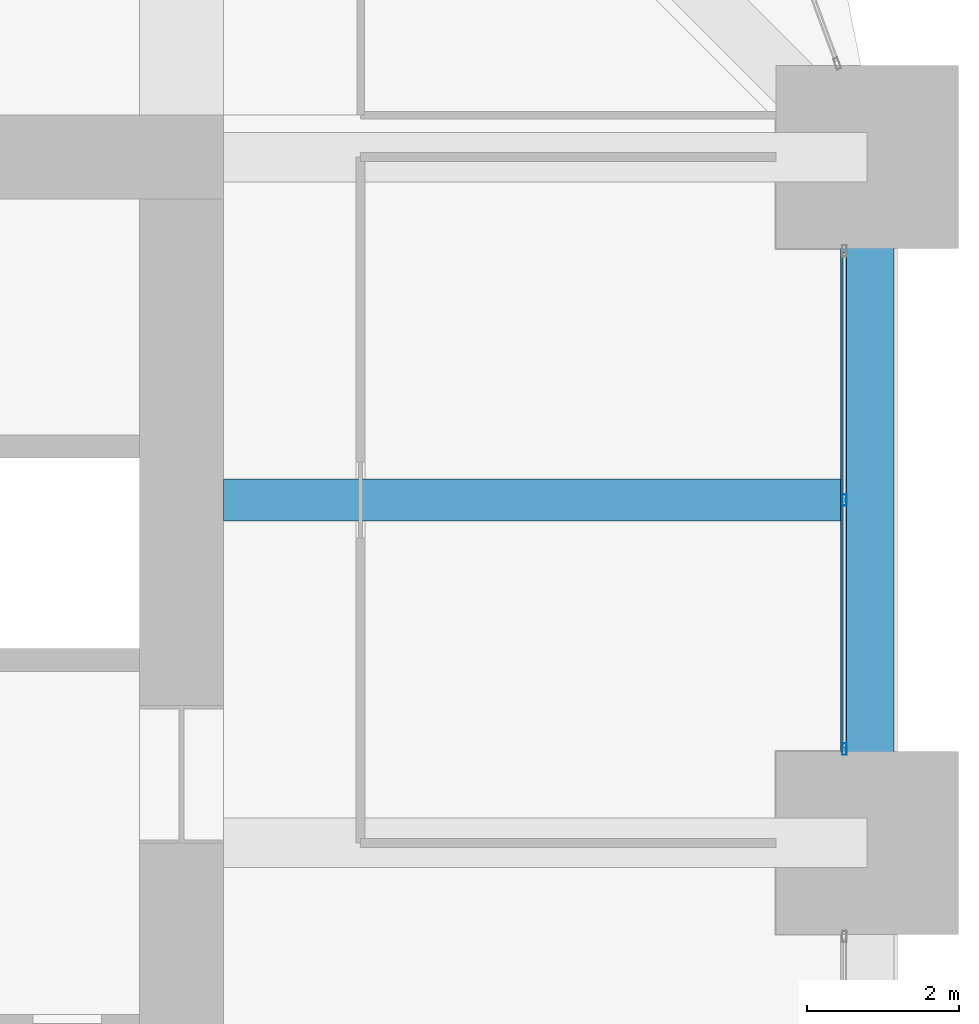
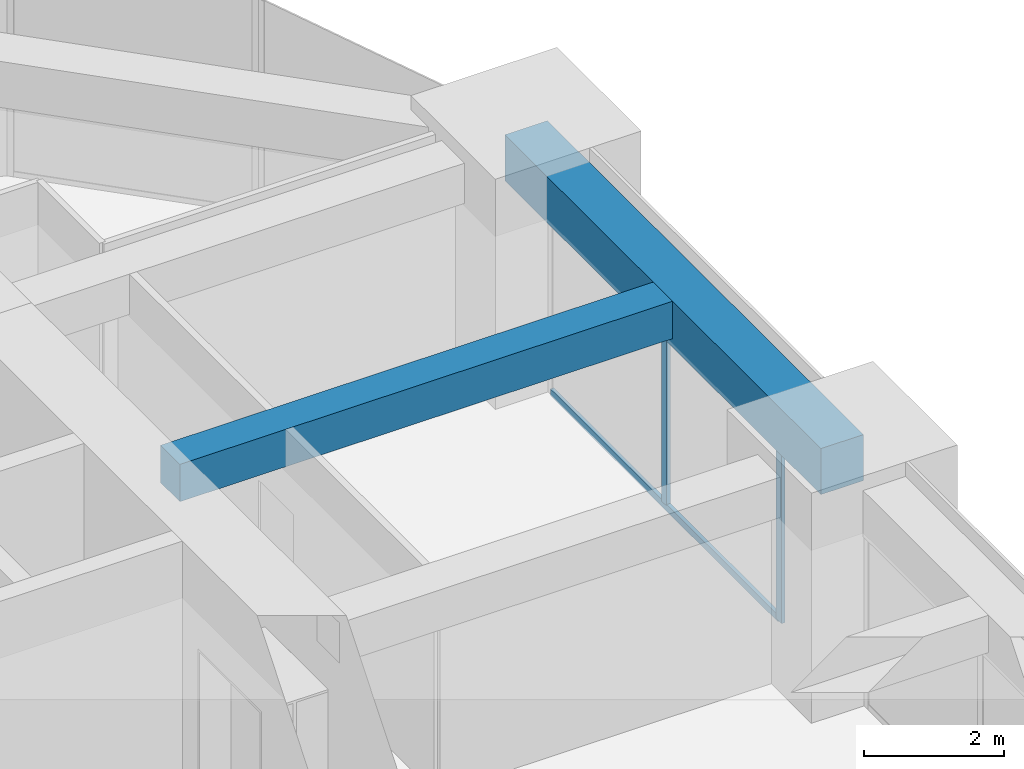
# One storey, part 19 of 33: 3 members, 2 beams, 1 element without a shape of its own.
"""IFC4 building model written with IfcOpenShell, lengths in metres."""

import ifcopenshell
import ifcopenshell.guid

model = None  # the IFC model being written
_history = None  # IfcOwnerHistory: only IFC2X3 demands one
_inside = {}  # id of a spatial element -> (the spatial element, [elements in it])
_under = {}  # id of a project, library or spatial element -> (it, [spatial elements below it])
_declared = {}  # id of a project -> (the project, [libraries it declares])
_typed = {}  # id of a type object -> (the type object, [elements of that type])
_made_of = {}  # id of a material, layer set ... -> (it, [elements and type objects made of it])


def new_model(schema):
    """Start an empty IFC model of exactly this schema.

    Asked for "IFC4X3", IfcOpenShell would pick the latest addendum, in which some entities
    have other attributes; the version numbers below select the first issue.
    IFC2X3 requires an IfcOwnerHistory on every rooted entity: one is made here for all.
    """
    global model, _history
    if schema == "IFC4X3":
        model = ifcopenshell.file(schema_version=(4, 3, 0, 0))
    else:
        model = ifcopenshell.file(schema=schema)
    _inside.clear()
    _under.clear()
    _declared.clear()
    _typed.clear()
    _made_of.clear()
    _history = None
    if model.schema == "IFC2X3":
        org = make("IfcOrganization", Name="unknown")
        user = make(
            "IfcPersonAndOrganization",
            ThePerson=make("IfcPerson", FamilyName="unknown"),
            TheOrganization=org,
        )
        app = make(
            "IfcApplication",
            ApplicationDeveloper=org,
            Version="unknown",
            ApplicationFullName="unknown",
            ApplicationIdentifier="unknown",
        )
        _history = make(
            "IfcOwnerHistory",
            OwningUser=user,
            OwningApplication=app,
            ChangeAction="ADDED",
            CreationDate=0,
        )
    return model


def make(cls, **values):
    """One entity of the class cls with the attributes given. An attribute that is None is left unset."""
    return model.create_entity(
        cls, **{name: value for name, value in values.items() if value is not None}
    )


def rooted(cls, **values):
    """An entity with a GlobalId (a new one), such as an element, a storey or a relation."""
    return make(cls, GlobalId=ifcopenshell.guid.new(), OwnerHistory=_history, **values)


def si_unit(unit_type, name, prefix=None):
    """IfcSIUnit, for example si_unit("LENGTHUNIT", "METRE", prefix="MILLI")."""
    return make("IfcSIUnit", UnitType=unit_type, Prefix=prefix, Name=name)


def assignment(units):
    """IfcUnitAssignment: the units of a project."""
    return None if units is None else make("IfcUnitAssignment", Units=units)


def point(xyz):
    """IfcCartesianPoint."""
    return None if xyz is None else make("IfcCartesianPoint", Coordinates=xyz)


def direction(xyz):
    """IfcDirection."""
    return None if xyz is None else make("IfcDirection", DirectionRatios=xyz)


def frame(location, z_axis=None, x_axis=None):
    """IfcAxis2Placement3D, a coordinate frame: its origin and axes. An axis left out is left unset."""
    return make(
        "IfcAxis2Placement3D",
        Location=point(location),
        Axis=direction(z_axis),
        RefDirection=direction(x_axis),
    )


def frame_2d(location, x_axis=None):
    """IfcAxis2Placement2D, a coordinate frame in the plane: its origin and x axis."""
    return make(
        "IfcAxis2Placement2D", Location=point(location), RefDirection=direction(x_axis)
    )


def origin():
    """The frame at (0, 0, 0) with its axes left unset."""
    return frame((0.0, 0.0, 0.0))


def origin_2d():
    """The frame at (0, 0) in the plane with its x axis left unset."""
    return frame_2d((0.0, 0.0))


def place(relative_to, where):
    """IfcLocalPlacement: puts the frame where relative to a parent placement (None: the world)."""
    return make(
        "IfcLocalPlacement", PlacementRelTo=relative_to, RelativePlacement=where
    )


def context(
    kind, dimensions, precision=None, world=None, true_north=None, identifier=None
):
    """IfcGeometricRepresentationContext, for example the 3D "Model" context."""
    return make(
        "IfcGeometricRepresentationContext",
        ContextIdentifier=identifier,
        ContextType=kind,
        CoordinateSpaceDimension=dimensions,
        Precision=precision,
        WorldCoordinateSystem=world,
        TrueNorth=true_north,
    )


def subcontext(parent, identifier, kind, view, scale=None):
    """IfcGeometricRepresentationSubContext, for example "Body" below "Model"."""
    return make(
        "IfcGeometricRepresentationSubContext",
        ContextIdentifier=identifier,
        ContextType=kind,
        ParentContext=parent,
        TargetScale=scale,
        TargetView=view,
    )


def project(units=None, contexts=None):
    """IfcProject with its units and contexts."""
    return rooted(
        "IfcProject",
        Name="project",
        RepresentationContexts=contexts,
        UnitsInContext=assignment(units),
    )


def spatial(cls, under=None, at=None, **own):
    """A site, building, storey or space (cls), placed at a placement, below another one or the project."""
    s = rooted(cls, ObjectPlacement=at, **own)
    if under is not None:
        _under.setdefault(under.id(), (under, []))[1].append(s)
    return s


def profile(cls, at=None, kind="AREA", **sizes):
    """A parametric profile (cls). Its sizes go by their IFC names, for example OverallWidth=200.0."""
    return make(cls, ProfileType=kind, Position=at, **sizes)


def rectangle(**sizes):
    """IfcRectangleProfileDef."""
    return profile("IfcRectangleProfileDef", **sizes)


def hollow_rectangle(**sizes):
    """IfcRectangleHollowProfileDef."""
    return profile("IfcRectangleHollowProfileDef", **sizes)


def extrude(swept, where, along, depth):
    """IfcExtrudedAreaSolid: the profile swept, set in the frame where, extruded along a direction by depth."""
    return make(
        "IfcExtrudedAreaSolid",
        SweptArea=swept,
        Position=where,
        ExtrudedDirection=direction(along),
        Depth=depth,
    )


def shape(context_of_items, identifier, shape_type, items):
    """IfcShapeRepresentation: the items that make up one representation, for example the "Body"."""
    return make(
        "IfcShapeRepresentation",
        ContextOfItems=context_of_items,
        RepresentationIdentifier=identifier,
        RepresentationType=shape_type,
        Items=items,
    )


def material(Name=None, Category=None):
    """IfcMaterial."""
    return make("IfcMaterial", Name=Name, Category=Category)


def material_profile(
    of_material, cross_section, Name=None, Category=None, Priority=None
):
    """IfcMaterialProfile: a cross section and its material."""
    return make(
        "IfcMaterialProfile",
        Name=Name,
        Material=of_material,
        Profile=cross_section,
        Priority=Priority,
        Category=Category,
    )


def profile_set(profiles, Name=None, composite=None):
    """IfcMaterialProfileSet."""
    return make(
        "IfcMaterialProfileSet",
        Name=Name,
        MaterialProfiles=profiles,
        CompositeProfile=composite,
    )


def made_of(thing, what):
    """Note that an element or type object is made of a material, layer set ...; save() writes the relation."""
    if what is not None:
        _made_of.setdefault(what.id(), (what, []))[1].append(thing)
    return thing


def type_object(cls, material=None, **own):
    """A type object (cls), such as IfcWallType, which elements share."""
    return made_of(rooted(cls, **own), material)


def element(
    cls,
    number,
    at=None,
    inside=None,
    cuts=None,
    type_object=None,
    material=None,
    context=None,
    identifier="Body",
    shape_type=None,
    held_by="IfcProductDefinitionShape",
    body=None,
    shapes=None,
    **own,
):
    """One element of the class cls, such as IfcWall. Its Tag is "e" and its number.

    at: its placement. inside: the storey or other place that contains it. cuts: it is an
    opening in that element (IfcRelVoidsElement). A single representation is given by context,
    identifier, shape_type and body (its items); several are given by shapes. held_by: the class
    of the entity that holds the representations. save() writes the other relations.
    """
    e = rooted(cls, Tag="e%d" % number, ObjectPlacement=at, **own)
    if body is not None:
        shapes = [shape(context, identifier, shape_type, body)]
    if shapes is not None:
        e.Representation = make(held_by, Representations=shapes)
    if inside is not None:
        _inside.setdefault(inside.id(), (inside, []))[1].append(e)
    if cuts is not None:
        rooted(
            "IfcRelVoidsElement", RelatingBuildingElement=cuts, RelatedOpeningElement=e
        )
    if type_object is not None:
        _typed.setdefault(type_object.id(), (type_object, []))[1].append(e)
    return made_of(e, material)


def aggregate(whole, parts):
    """IfcRelAggregates: a whole, such as a stair, and the parts it consists of."""
    return rooted("IfcRelAggregates", RelatingObject=whole, RelatedObjects=parts)


def save(model, path):
    """Write the relations noted so far, then the file.

    IfcRelAggregates (storeys below a building ...), IfcRelContainedInSpatialStructure (elements
    in a storey), IfcRelDefinesByType, IfcRelAssociatesMaterial and IfcRelDeclares: one each for
    every whole, place, type object, material and project.
    """
    for whole, parts in _under.values():
        aggregate(whole, parts)
    for where, things in _inside.values():
        rooted(
            "IfcRelContainedInSpatialStructure",
            RelatedElements=things,
            RelatingStructure=where,
        )
    for kind, things in _typed.values():
        rooted("IfcRelDefinesByType", RelatedObjects=things, RelatingType=kind)
    for what, things in _made_of.values():
        rooted("IfcRelAssociatesMaterial", RelatedObjects=things, RelatingMaterial=what)
    for by, libraries in _declared.values():
        rooted("IfcRelDeclares", RelatingContext=by, RelatedDefinitions=libraries)
    model.write(path)


model = new_model("IFC4")

# Units and contexts
model_context = context("Model", 3, precision=1e-05, world=origin(), true_north=direction((0.0, 1.0)))
body_context = subcontext(model_context, "Body", "Model", "MODEL_VIEW")
ifc_project = project(units=[si_unit("LENGTHUNIT", "METRE"), si_unit("AREAUNIT", "SQUARE_METRE"), si_unit("VOLUMEUNIT", "CUBIC_METRE"), si_unit("PLANEANGLEUNIT", "RADIAN"), si_unit("MASSUNIT", "GRAM", prefix="KILO")], contexts=[model_context])

# Site, building, storey
site_placement = place(None, origin())
site = spatial("IfcSite", under=ifc_project, at=site_placement, CompositionType="ELEMENT")
building_placement = place(site_placement, origin())
building = spatial("IfcBuilding", under=site, at=building_placement, Name="Zorevar Civic Tower", CompositionType="ELEMENT")
storey_placement = place(building_placement, frame((0.0, 0.0, 194.199951171875)))
storey = spatial("IfcBuildingStorey", under=building, at=storey_placement, Name="L47", CompositionType="ELEMENT", Elevation=194.199951171875)

# Beam
ifc_material_1 = material(Name="Concrete C50/60", Category="concrete")
ifc_material_profile_1 = material_profile(ifc_material_1, rectangle(XDim=0.550048828125, YDim=0.64990234375, at=origin_2d()), Name="RC 550x650")
ifc_profile_set_1 = profile_set([ifc_material_profile_1], Name="Concrete C50/60")
beam_type_1 = type_object("IfcBeamType", Name="Beam RC 550x650", PredefinedType="BEAM", material=ifc_profile_set_1)
beam_1_placement = place(storey_placement, frame((45.550048828125, 31.5, 3.425048828125), z_axis=(1.0, 0.0, 0.0), x_axis=(0.0, 1.0, 0.0)))
element("IfcBeam", 1, at=beam_1_placement, inside=storey, type_object=beam_type_1, Name="Secondary beam L48", PredefinedType="BEAM", context=body_context, shape_type="SweptSolid", body=[
    extrude(rectangle(XDim=0.550048828125, YDim=0.64990234375, at=origin_2d()), origin(), (0.0, 0.0, 1.0), 8.099853515625),
])

# Curtain wall, members
ifc_material_2 = material(Name="Dark grey solar-control glass in black aluminium frame", Category="aluminium")
curtain_wall_type = type_object("IfcCurtainWallType", Name="Curtain wall CW4 high zone", PredefinedType="NOTDEFINED", material=ifc_material_2)
curtain_wall_placement = place(storey_placement, origin())
curtain_wall = element("IfcCurtainWall", 2, at=curtain_wall_placement, inside=storey, type_object=curtain_wall_type, Name="CW4 L47", PredefinedType="NOTDEFINED")
ifc_material_3 = material(Name="Aluminium, black anodised", Category="aluminium")
ifc_material_profile_2 = material_profile(ifc_material_3, hollow_rectangle(XDim=0.06005859375, YDim=0.14990234375, WallThickness=0.00390625, at=origin_2d()), Name="AL 150x60x4")
ifc_profile_set_2 = profile_set([ifc_material_profile_2], Name="Aluminium, black anodised")
member_type_1 = type_object("IfcMemberType", Name="CW4 mullion AL 150x60x4", PredefinedType="MULLION", material=ifc_profile_set_2)
member_1_placement = place(storey_placement, frame((53.699951171875, 28.22998046875, 0.0), z_axis=(0.0, 0.0, 1.0), x_axis=(-1.0, 0.0, 0.0)))
member_1 = element("IfcMember", 3, at=member_1_placement, type_object=member_type_1, Name="CW4 mullion 1", PredefinedType="MULLION", context=body_context, shape_type="SweptSolid", body=[
    extrude(hollow_rectangle(XDim=0.06005859375, YDim=0.14990234375, WallThickness=0.00390625, at=origin_2d()), origin(), (0.0, 0.0, 1.0), 2.949951171875),
])
member_2_placement = place(storey_placement, frame((53.699951171875, 31.5, 0.06005859375), z_axis=(0.0, 0.0, 1.0), x_axis=(-1.0, 0.0, 0.0)))
member_2 = element("IfcMember", 4, at=member_2_placement, type_object=member_type_1, Name="CW4 mullion 2", PredefinedType="MULLION", context=body_context, shape_type="SweptSolid", body=[
    extrude(hollow_rectangle(XDim=0.06005859375, YDim=0.14990234375, WallThickness=0.00390625, at=origin_2d()), origin(), (0.0, 0.0, 1.0), 2.889892578125),
])
ifc_material_4 = material(Name="Aluminium, black anodised", Category="aluminium")
ifc_material_profile_3 = material_profile(ifc_material_4, hollow_rectangle(XDim=0.06005859375, YDim=0.1201171875, WallThickness=0.0029296875, at=origin_2d()), Name="AL 120x60x3")
ifc_profile_set_3 = profile_set([ifc_material_profile_3], Name="Aluminium, black anodised")
member_type_2 = type_object("IfcMemberType", Name="CW4 transom AL 120x60x3", PredefinedType="USERDEFINED", material=ifc_profile_set_3)
member_3_placement = place(storey_placement, frame((53.699951171875, 28.260009765625, 0.030029296875), z_axis=(0.0, 1.0, 0.0), x_axis=(-1.0, 0.0, 0.0)))
member_3 = element("IfcMember", 5, at=member_3_placement, type_object=member_type_2, Name="CW4 sill transom", ObjectType="TRANSOM", PredefinedType="USERDEFINED", context=body_context, shape_type="SweptSolid", body=[
    extrude(hollow_rectangle(XDim=0.06005859375, YDim=0.1201171875, WallThickness=0.0029296875, at=origin_2d()), origin(), (0.0, 0.0, 1.0), 6.47998046875),
])
aggregate(curtain_wall, [member_1, member_2, member_3])

# Beam
ifc_material_5 = material(Name="Concrete C50/60", Category="concrete")
ifc_material_profile_4 = material_profile(ifc_material_5, rectangle(XDim=0.699951171875, YDim=0.800048828125, at=origin_2d()), Name="RC 700x800")
ifc_profile_set_4 = profile_set([ifc_material_profile_4], Name="Concrete C50/60")
beam_type_2 = type_object("IfcBeamType", Name="Edge beam RC 700x800", PredefinedType="SPANDREL", material=ifc_profile_set_4)
beam_2_placement = place(storey_placement, frame((54.0, 27.0, 3.35009765625), z_axis=(0.0, 1.0, 0.0), x_axis=(-1.0, 0.0, 0.0)))
element("IfcBeam", 6, at=beam_2_placement, inside=storey, type_object=beam_type_2, Name="Edge beam L48", PredefinedType="SPANDREL", context=body_context, shape_type="SweptSolid", body=[
    extrude(rectangle(XDim=0.699951171875, YDim=0.800048828125, at=origin_2d()), origin(), (0.0, 0.0, 1.0), 9.0),
])

save(model, "model.ifc")
